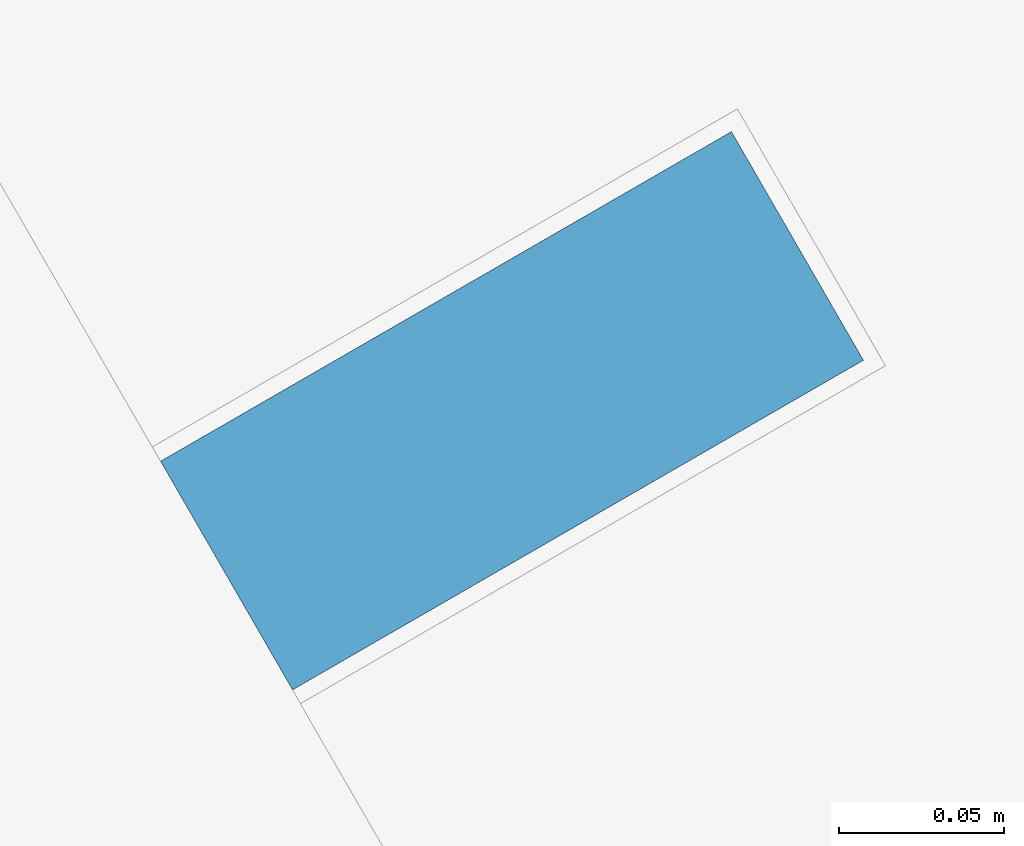
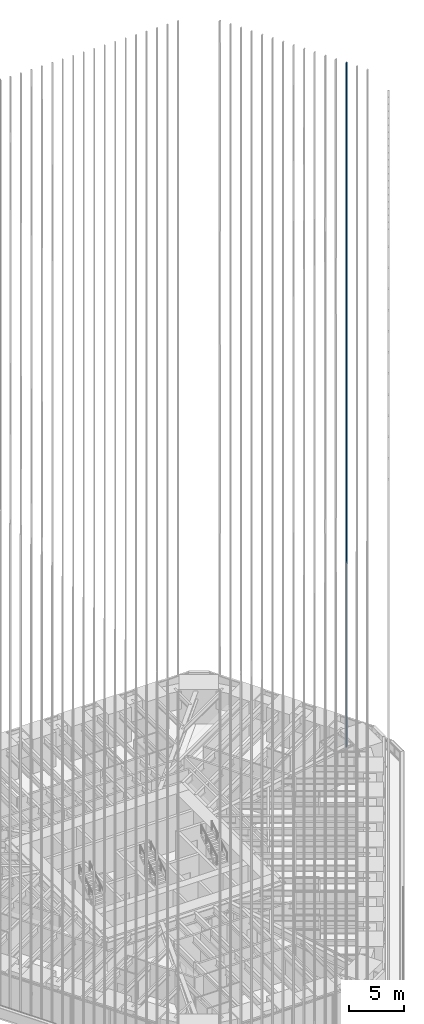
# One storey, part 184 of 238: 1 member, 1 element without a shape of its own.
"""IFC4 building model written with IfcOpenShell, lengths in metres."""

from ifc_helpers import new_model, si_unit, direction, frame, origin, origin_2d, place, context, subcontext, project, spatial, rectangle, extrude, material, material_profile, profile_set, type_object, element, aggregate, save


model = new_model("IFC4")

# Units and contexts
model_context = context("Model", 3, precision=1e-05, world=origin(), true_north=direction((0.0, 1.0)))
body_context = subcontext(model_context, "Body", "Model", "MODEL_VIEW")
ifc_project = project(units=[si_unit("LENGTHUNIT", "METRE"), si_unit("AREAUNIT", "SQUARE_METRE"), si_unit("VOLUMEUNIT", "CUBIC_METRE"), si_unit("PLANEANGLEUNIT", "RADIAN"), si_unit("MASSUNIT", "GRAM", prefix="KILO")], contexts=[model_context])

# Site, building, storey
site_placement = place(None, origin())
site = spatial("IfcSite", under=ifc_project, at=site_placement, CompositionType="ELEMENT")
building_placement = place(site_placement, origin())
building = spatial("IfcBuilding", under=site, at=building_placement, Name="Sandreach Pilgrim Tower", CompositionType="ELEMENT")
storey_placement = place(building_placement, frame((0.0, 0.0, 96.800048828125)))
storey = spatial("IfcBuildingStorey", under=building, at=storey_placement, Name="L23", CompositionType="ELEMENT", Elevation=96.800048828125)

# Curtain wall, member
ifc_material_1 = material(Name="Aluminium framed curtain wall", Category="aluminium")
curtain_wall_type = type_object("IfcCurtainWallType", Name="Hotel tower curtain wall", PredefinedType="NOTDEFINED", material=ifc_material_1)
curtain_wall_placement = place(storey_placement, origin())
curtain_wall = element("IfcCurtainWall", 1, at=curtain_wall_placement, inside=storey, type_object=curtain_wall_type, Name="CW-2 L23 NE", PredefinedType="NOTDEFINED")
ifc_material_2 = material(Name="Extruded terracotta on aluminium core", Category="masonry")
ifc_material_profile = material_profile(ifc_material_2, rectangle(XDim=0.080078125, YDim=0.199951171875, at=origin_2d()), Name="TBE 80X200")
ifc_profile_set = profile_set([ifc_material_profile], Name="Extruded terracotta on aluminium core")
member_type = type_object("IfcMemberType", Name="Terracotta baguette east", PredefinedType="USERDEFINED", material=ifc_profile_set)
member_placement = place(storey_placement, frame((27.52490234375, 9.510009765625, 0.0), z_axis=(0.0, 0.0, 1.0), x_axis=(0.5, -0.866025403784, 0.0)))
member = element("IfcMember", 2, at=member_placement, type_object=member_type, Name="Baguette Z2 NE13", ObjectType="BAGUETTE", PredefinedType="USERDEFINED", context=body_context, shape_type="SweptSolid", body=[
    extrude(rectangle(XDim=0.080078125, YDim=0.199951171875, at=origin_2d()), origin(), (0.0, 0.0, 1.0), 75.83984375),
])
aggregate(curtain_wall, [member])

save(model, "model.ifc")
